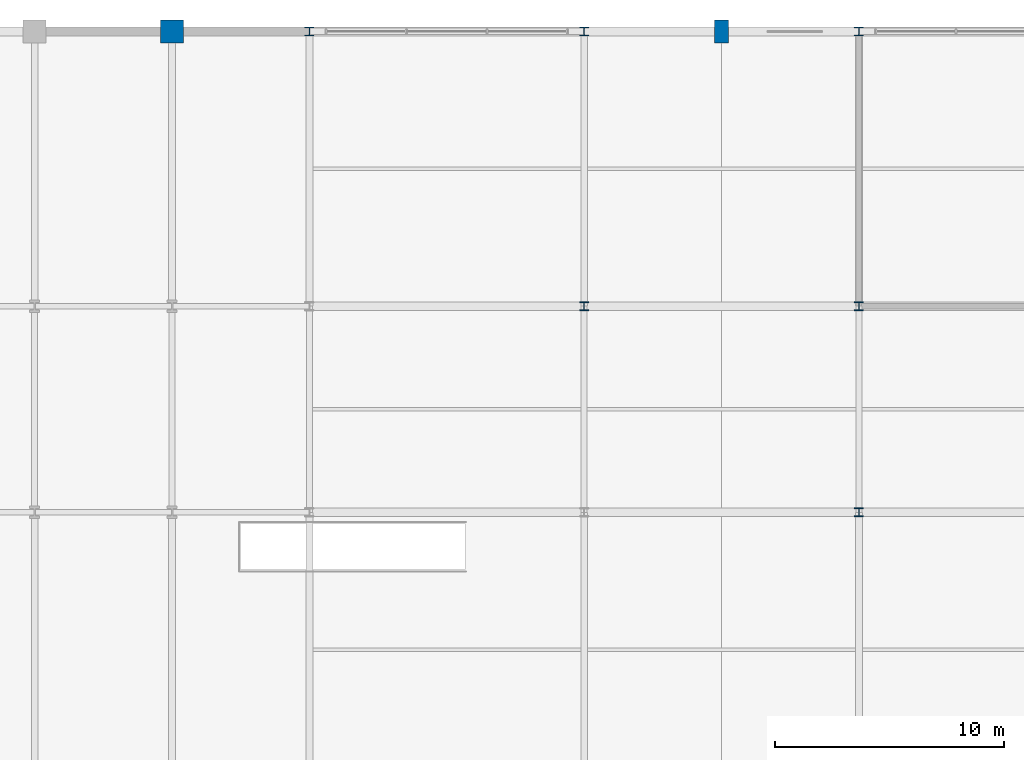
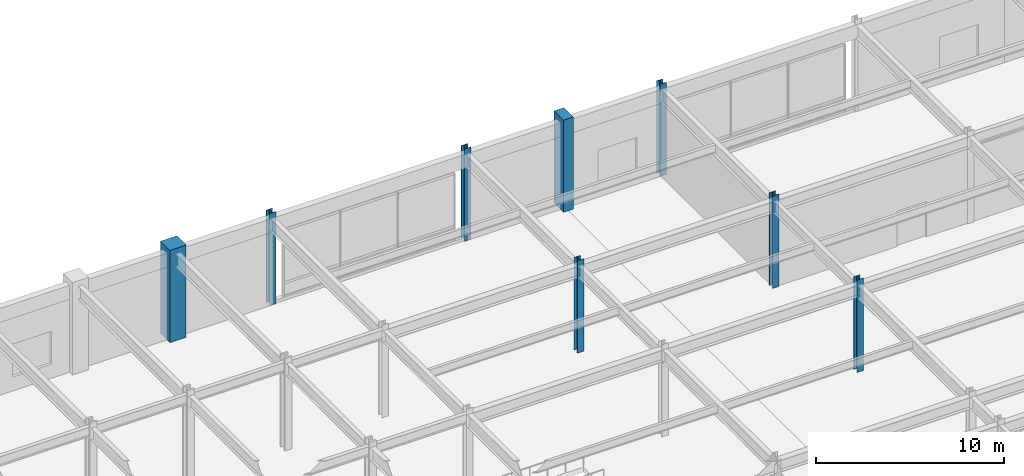
# One storey, part 13 of 108: 8 columns.
"""IFC4 building model written with IfcOpenShell, lengths in metres."""

from ifc_helpers import new_model, si_unit, direction, frame, origin, origin_2d, place, context, subcontext, project, spatial, rectangle, i_section, extrude, material, material_profile, profile_set, type_object, element, save


model = new_model("IFC4")

# Units and contexts
model_context = context("Model", 3, precision=1e-05, world=origin(), true_north=direction((0.0, 1.0)))
body_context = subcontext(model_context, "Body", "Model", "MODEL_VIEW")
ifc_project = project(units=[si_unit("LENGTHUNIT", "METRE"), si_unit("AREAUNIT", "SQUARE_METRE"), si_unit("VOLUMEUNIT", "CUBIC_METRE"), si_unit("PLANEANGLEUNIT", "RADIAN"), si_unit("MASSUNIT", "GRAM", prefix="KILO")], contexts=[model_context])

# Site, building, storey
site_placement = place(None, origin())
site = spatial("IfcSite", under=ifc_project, at=site_placement, CompositionType="ELEMENT")
building_placement = place(site_placement, origin())
building = spatial("IfcBuilding", under=site, at=building_placement, Name="Kaldorvane Square Convention Centre", CompositionType="ELEMENT")
storey_placement = place(building_placement, frame((0.0, 0.0, 12.0)))
storey = spatial("IfcBuildingStorey", under=building, at=storey_placement, Name="L02", CompositionType="ELEMENT", Elevation=12.0)

# Columns
ifc_material_1 = material(Name="Concrete f'c = 55 MPa (Normalweight)", Category="concrete")
ifc_material_profile_1 = material_profile(ifc_material_1, rectangle(XDim=1.0, YDim=1.0, at=origin_2d()), Name="RC1000X1000")
ifc_profile_set_1 = profile_set([ifc_material_profile_1], Name="Concrete f'c = 55 MPa (Normalweight)")
column_type_1 = type_object("IfcColumnType", Name="COL-RC-1000", PredefinedType="COLUMN", material=ifc_profile_set_1)
column_1_placement = place(storey_placement, frame((96.0, 117.0, 0.0), z_axis=(0.0, 0.0, 1.0), x_axis=(1.0, 0.0, 0.0)))
element("IfcColumn", 1, at=column_1_placement, inside=storey, type_object=column_type_1, Name="Column CC-02 (L02)", PredefinedType="COLUMN", context=body_context, shape_type="SweptSolid", body=[
    extrude(rectangle(XDim=1.0, YDim=1.0, at=origin_2d()), origin(), (0.0, 0.0, 1.0), 6.0),
])
ifc_material_2 = material(Name="Steel ASTM A992 Gr. 50", Category="steel")
ifc_material_profile_2 = material_profile(ifc_material_2, i_section(OverallWidth=0.393707275390625, OverallDepth=0.375396728515625, WebThickness=0.017303466796875, FlangeThickness=0.0276947021484375, FilletRadius=0.0305023193359375, at=origin_2d()), Name="W14X145")
ifc_profile_set_2 = profile_set([ifc_material_profile_2], Name="Steel ASTM A992 Gr. 50")
column_type_2 = type_object("IfcColumnType", Name="COL-STL-145", PredefinedType="COLUMN", material=ifc_profile_set_2)
for number, where, z_axis, x_axis, name in (
    (2, (102.0, 117.0, 0.0), (0.0, 0.0, 1.0), (1.0, 0.0, 0.0), "Column SC-10 (L02)"),
    (3, (114.0, 105.0, 0.0), (0.0, 0.0, 1.0), (1.0, 0.0, 0.0), "Column SC-10 (L02)"),
    (4, (114.0, 117.0, 0.0), (0.0, 0.0, 1.0), (1.0, 0.0, 0.0), "Column SC-10 (L02)"),
    (5, (126.0, 96.0, 0.0), (0.0, 0.0, 1.0), (1.0, 0.0, 0.0), "Column SC-10 (L02)"),
    (6, (126.0, 105.0, 0.0), (0.0, 0.0, 1.0), (1.0, 0.0, 0.0), "Column SC-10 (L02)"),
    (7, (126.0, 117.0, 0.0), (0.0, 0.0, 1.0), (1.0, 0.0, 0.0), "Column SC-10 (L02)"),
):
    element("IfcColumn", number, at=place(storey_placement, frame(where, z_axis=z_axis, x_axis=x_axis)), inside=storey, type_object=column_type_2, Name=name, PredefinedType="COLUMN", context=body_context, shape_type="SweptSolid", body=[
        extrude(i_section(OverallWidth=0.393707275390625, OverallDepth=0.375396728515625, WebThickness=0.017303466796875, FlangeThickness=0.0276947021484375, FilletRadius=0.0305023193359375, at=origin_2d()), origin(), (0.0, 0.0, 1.0), 6.0),
    ])
ifc_material_profile_3 = material_profile(ifc_material_1, rectangle(XDim=0.600006103515625, YDim=1.0, at=origin_2d()), Name="PIL1000X600")
ifc_profile_set_3 = profile_set([ifc_material_profile_3], Name="Concrete f'c = 55 MPa (Normalweight)")
column_type_3 = type_object("IfcColumnType", Name="PIL-BRUT-1000", PredefinedType="PILASTER", material=ifc_profile_set_3)
column_2_placement = place(storey_placement, frame((120.0, 117.0, 0.0), z_axis=(0.0, 0.0, 1.0), x_axis=(1.0, 0.0, 0.0)))
element("IfcColumn", 8, at=column_2_placement, inside=storey, type_object=column_type_3, Name="Brutalist Colonnade Pilaster (L02)", PredefinedType="PILASTER", context=body_context, shape_type="SweptSolid", body=[
    extrude(rectangle(XDim=0.600006103515625, YDim=1.0, at=origin_2d()), origin(), (0.0, 0.0, 1.0), 6.0),
])

save(model, "model.ifc")
